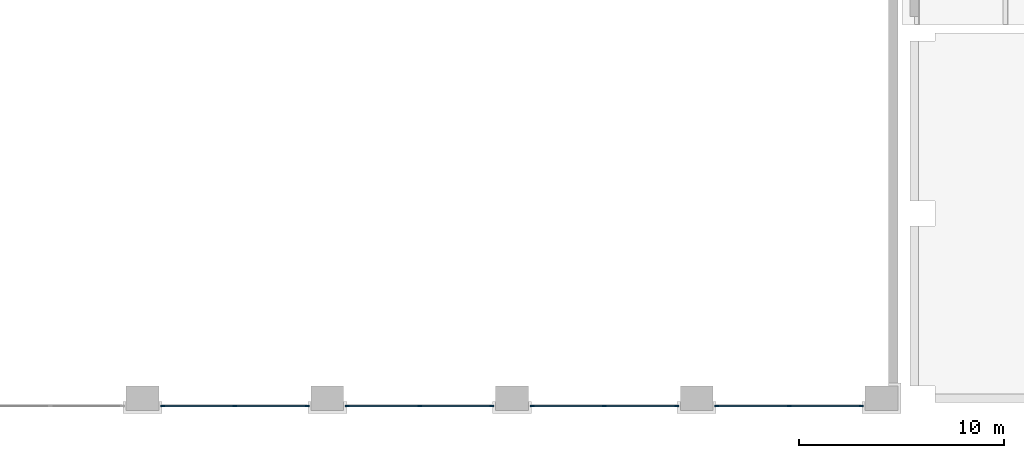
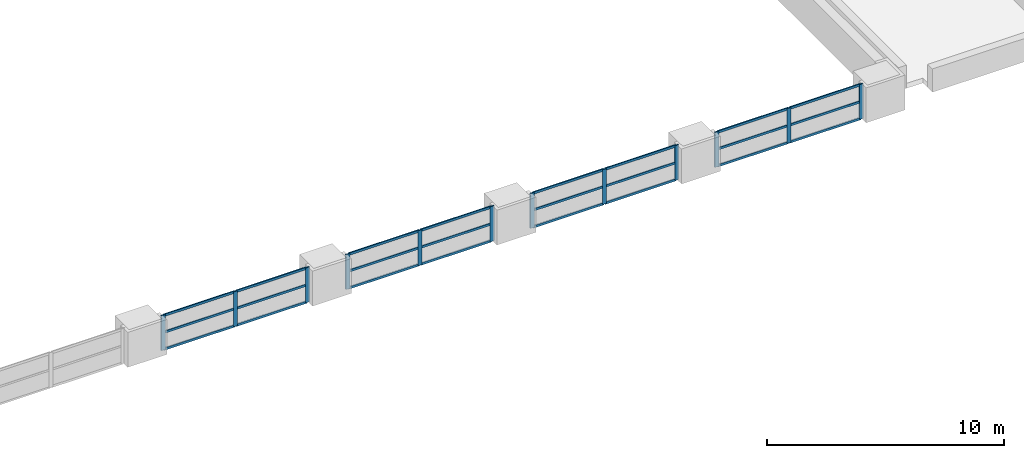
# One storey, part 8 of 32: 36 members, 4 elements without a shape of their own.
"""IFC4 building model written with IfcOpenShell, lengths in metres."""

import ifcopenshell
import ifcopenshell.guid

model = None  # the IFC model being written
_history = None  # IfcOwnerHistory: only IFC2X3 demands one
_inside = {}  # id of a spatial element -> (the spatial element, [elements in it])
_under = {}  # id of a project, library or spatial element -> (it, [spatial elements below it])
_declared = {}  # id of a project -> (the project, [libraries it declares])
_typed = {}  # id of a type object -> (the type object, [elements of that type])
_made_of = {}  # id of a material, layer set ... -> (it, [elements and type objects made of it])


def new_model(schema):
    """Start an empty IFC model of exactly this schema.

    Asked for "IFC4X3", IfcOpenShell would pick the latest addendum, in which some entities
    have other attributes; the version numbers below select the first issue.
    IFC2X3 requires an IfcOwnerHistory on every rooted entity: one is made here for all.
    """
    global model, _history
    if schema == "IFC4X3":
        model = ifcopenshell.file(schema_version=(4, 3, 0, 0))
    else:
        model = ifcopenshell.file(schema=schema)
    _inside.clear()
    _under.clear()
    _declared.clear()
    _typed.clear()
    _made_of.clear()
    _history = None
    if model.schema == "IFC2X3":
        org = make("IfcOrganization", Name="unknown")
        user = make(
            "IfcPersonAndOrganization",
            ThePerson=make("IfcPerson", FamilyName="unknown"),
            TheOrganization=org,
        )
        app = make(
            "IfcApplication",
            ApplicationDeveloper=org,
            Version="unknown",
            ApplicationFullName="unknown",
            ApplicationIdentifier="unknown",
        )
        _history = make(
            "IfcOwnerHistory",
            OwningUser=user,
            OwningApplication=app,
            ChangeAction="ADDED",
            CreationDate=0,
        )
    return model


def make(cls, **values):
    """One entity of the class cls with the attributes given. An attribute that is None is left unset."""
    return model.create_entity(
        cls, **{name: value for name, value in values.items() if value is not None}
    )


def rooted(cls, **values):
    """An entity with a GlobalId (a new one), such as an element, a storey or a relation."""
    return make(cls, GlobalId=ifcopenshell.guid.new(), OwnerHistory=_history, **values)


def si_unit(unit_type, name, prefix=None):
    """IfcSIUnit, for example si_unit("LENGTHUNIT", "METRE", prefix="MILLI")."""
    return make("IfcSIUnit", UnitType=unit_type, Prefix=prefix, Name=name)


def assignment(units):
    """IfcUnitAssignment: the units of a project."""
    return None if units is None else make("IfcUnitAssignment", Units=units)


def point(xyz):
    """IfcCartesianPoint."""
    return None if xyz is None else make("IfcCartesianPoint", Coordinates=xyz)


def direction(xyz):
    """IfcDirection."""
    return None if xyz is None else make("IfcDirection", DirectionRatios=xyz)


def frame(location, z_axis=None, x_axis=None):
    """IfcAxis2Placement3D, a coordinate frame: its origin and axes. An axis left out is left unset."""
    return make(
        "IfcAxis2Placement3D",
        Location=point(location),
        Axis=direction(z_axis),
        RefDirection=direction(x_axis),
    )


def frame_2d(location, x_axis=None):
    """IfcAxis2Placement2D, a coordinate frame in the plane: its origin and x axis."""
    return make(
        "IfcAxis2Placement2D", Location=point(location), RefDirection=direction(x_axis)
    )


def origin():
    """The frame at (0, 0, 0) with its axes left unset."""
    return frame((0.0, 0.0, 0.0))


def origin_2d():
    """The frame at (0, 0) in the plane with its x axis left unset."""
    return frame_2d((0.0, 0.0))


def place(relative_to, where):
    """IfcLocalPlacement: puts the frame where relative to a parent placement (None: the world)."""
    return make(
        "IfcLocalPlacement", PlacementRelTo=relative_to, RelativePlacement=where
    )


def context(
    kind, dimensions, precision=None, world=None, true_north=None, identifier=None
):
    """IfcGeometricRepresentationContext, for example the 3D "Model" context."""
    return make(
        "IfcGeometricRepresentationContext",
        ContextIdentifier=identifier,
        ContextType=kind,
        CoordinateSpaceDimension=dimensions,
        Precision=precision,
        WorldCoordinateSystem=world,
        TrueNorth=true_north,
    )


def subcontext(parent, identifier, kind, view, scale=None):
    """IfcGeometricRepresentationSubContext, for example "Body" below "Model"."""
    return make(
        "IfcGeometricRepresentationSubContext",
        ContextIdentifier=identifier,
        ContextType=kind,
        ParentContext=parent,
        TargetScale=scale,
        TargetView=view,
    )


def project(units=None, contexts=None):
    """IfcProject with its units and contexts."""
    return rooted(
        "IfcProject",
        Name="project",
        RepresentationContexts=contexts,
        UnitsInContext=assignment(units),
    )


def spatial(cls, under=None, at=None, **own):
    """A site, building, storey or space (cls), placed at a placement, below another one or the project."""
    s = rooted(cls, ObjectPlacement=at, **own)
    if under is not None:
        _under.setdefault(under.id(), (under, []))[1].append(s)
    return s


def profile(cls, at=None, kind="AREA", **sizes):
    """A parametric profile (cls). Its sizes go by their IFC names, for example OverallWidth=200.0."""
    return make(cls, ProfileType=kind, Position=at, **sizes)


def rectangle(**sizes):
    """IfcRectangleProfileDef."""
    return profile("IfcRectangleProfileDef", **sizes)


def extrude(swept, where, along, depth):
    """IfcExtrudedAreaSolid: the profile swept, set in the frame where, extruded along a direction by depth."""
    return make(
        "IfcExtrudedAreaSolid",
        SweptArea=swept,
        Position=where,
        ExtrudedDirection=direction(along),
        Depth=depth,
    )


def shape(context_of_items, identifier, shape_type, items):
    """IfcShapeRepresentation: the items that make up one representation, for example the "Body"."""
    return make(
        "IfcShapeRepresentation",
        ContextOfItems=context_of_items,
        RepresentationIdentifier=identifier,
        RepresentationType=shape_type,
        Items=items,
    )


def material(Name=None, Category=None):
    """IfcMaterial."""
    return make("IfcMaterial", Name=Name, Category=Category)


def material_profile(
    of_material, cross_section, Name=None, Category=None, Priority=None
):
    """IfcMaterialProfile: a cross section and its material."""
    return make(
        "IfcMaterialProfile",
        Name=Name,
        Material=of_material,
        Profile=cross_section,
        Priority=Priority,
        Category=Category,
    )


def profile_set(profiles, Name=None, composite=None):
    """IfcMaterialProfileSet."""
    return make(
        "IfcMaterialProfileSet",
        Name=Name,
        MaterialProfiles=profiles,
        CompositeProfile=composite,
    )


def made_of(thing, what):
    """Note that an element or type object is made of a material, layer set ...; save() writes the relation."""
    if what is not None:
        _made_of.setdefault(what.id(), (what, []))[1].append(thing)
    return thing


def type_object(cls, material=None, **own):
    """A type object (cls), such as IfcWallType, which elements share."""
    return made_of(rooted(cls, **own), material)


def element(
    cls,
    number,
    at=None,
    inside=None,
    cuts=None,
    type_object=None,
    material=None,
    context=None,
    identifier="Body",
    shape_type=None,
    held_by="IfcProductDefinitionShape",
    body=None,
    shapes=None,
    **own,
):
    """One element of the class cls, such as IfcWall. Its Tag is "e" and its number.

    at: its placement. inside: the storey or other place that contains it. cuts: it is an
    opening in that element (IfcRelVoidsElement). A single representation is given by context,
    identifier, shape_type and body (its items); several are given by shapes. held_by: the class
    of the entity that holds the representations. save() writes the other relations.
    """
    e = rooted(cls, Tag="e%d" % number, ObjectPlacement=at, **own)
    if body is not None:
        shapes = [shape(context, identifier, shape_type, body)]
    if shapes is not None:
        e.Representation = make(held_by, Representations=shapes)
    if inside is not None:
        _inside.setdefault(inside.id(), (inside, []))[1].append(e)
    if cuts is not None:
        rooted(
            "IfcRelVoidsElement", RelatingBuildingElement=cuts, RelatedOpeningElement=e
        )
    if type_object is not None:
        _typed.setdefault(type_object.id(), (type_object, []))[1].append(e)
    return made_of(e, material)


def aggregate(whole, parts):
    """IfcRelAggregates: a whole, such as a stair, and the parts it consists of."""
    return rooted("IfcRelAggregates", RelatingObject=whole, RelatedObjects=parts)


def save(model, path):
    """Write the relations noted so far, then the file.

    IfcRelAggregates (storeys below a building ...), IfcRelContainedInSpatialStructure (elements
    in a storey), IfcRelDefinesByType, IfcRelAssociatesMaterial and IfcRelDeclares: one each for
    every whole, place, type object, material and project.
    """
    for whole, parts in _under.values():
        aggregate(whole, parts)
    for where, things in _inside.values():
        rooted(
            "IfcRelContainedInSpatialStructure",
            RelatedElements=things,
            RelatingStructure=where,
        )
    for kind, things in _typed.values():
        rooted("IfcRelDefinesByType", RelatedObjects=things, RelatingType=kind)
    for what, things in _made_of.values():
        rooted("IfcRelAssociatesMaterial", RelatedObjects=things, RelatingMaterial=what)
    for by, libraries in _declared.values():
        rooted("IfcRelDeclares", RelatingContext=by, RelatedDefinitions=libraries)
    model.write(path)


model = new_model("IFC4")

# Units and contexts
model_context = context("Model", 3, precision=1e-05, world=origin(), true_north=direction((0.0, 1.0)))
body_context = subcontext(model_context, "Body", "Model", "MODEL_VIEW")
ifc_project = project(units=[si_unit("LENGTHUNIT", "METRE"), si_unit("AREAUNIT", "SQUARE_METRE"), si_unit("VOLUMEUNIT", "CUBIC_METRE"), si_unit("PLANEANGLEUNIT", "RADIAN"), si_unit("MASSUNIT", "GRAM", prefix="KILO")], contexts=[model_context])

# Site, building, storey
site_placement = place(None, origin())
site = spatial("IfcSite", under=ifc_project, at=site_placement, CompositionType="ELEMENT")
building_placement = place(site_placement, origin())
building = spatial("IfcBuilding", under=site, at=building_placement, Name="Aravalli Gate Trade Fair Centre", CompositionType="ELEMENT")
storey_placement = place(building_placement, frame((0.0, 0.0, 23.39990234375)))
storey = spatial("IfcBuildingStorey", under=building, at=storey_placement, Name="ROOF LEVEL 1", CompositionType="ELEMENT", Elevation=23.39990234375)

# Curtain wall, members
ifc_material_1 = material(Name="Aluminium, glass and louvre", Category="aluminium")
curtain_wall_type = type_object("IfcCurtainWallType", Name="Hall crown curtain wall 3000 module", PredefinedType="NOTDEFINED", material=ifc_material_1)
curtain_wall_1_placement = place(storey_placement, origin())
curtain_wall_1 = element("IfcCurtainWall", 1, at=curtain_wall_1_placement, inside=storey, type_object=curtain_wall_type, Name="Hall south crown curtain wall bay 8 ROOF LEVEL 1", PredefinedType="NOTDEFINED")
ifc_material_2 = material(Name="Aluminium", Category="aluminium")
ifc_material_profile_1 = material_profile(ifc_material_2, rectangle(XDim=0.06005859375, YDim=0.199951171875, at=origin_2d()), Name="Hall curtain wall mullion 60 x 200")
ifc_profile_set_1 = profile_set([ifc_material_profile_1], Name="Aluminium")
member_type_1 = type_object("IfcMemberType", Name="Hall curtain wall mullion 60 x 200", PredefinedType="MULLION", material=ifc_profile_set_1)
member_1_placement = place(storey_placement, frame((69.97998046875, 45.625, 0.0), z_axis=(0.0, 0.0, 1.0), x_axis=(0.0, 1.0, 0.0)))
member_1 = element("IfcMember", 2, at=member_1_placement, type_object=member_type_1, Name="HCW1 mullion 1", PredefinedType="MULLION", context=body_context, shape_type="SweptSolid", body=[
    extrude(rectangle(XDim=0.06005859375, YDim=0.199951171875, at=origin_2d()), origin(), (0.0, 0.0, 1.0), 1.800048828125),
])
member_2_placement = place(storey_placement, frame((73.5, 45.625, 0.0), z_axis=(0.0, 0.0, 1.0), x_axis=(0.0, 1.0, 0.0)))
member_2 = element("IfcMember", 3, at=member_2_placement, type_object=member_type_1, Name="HCW1 mullion 2", PredefinedType="MULLION", context=body_context, shape_type="SweptSolid", body=[
    extrude(rectangle(XDim=0.06005859375, YDim=0.199951171875, at=origin_2d()), origin(), (0.0, 0.0, 1.0), 1.800048828125),
])
member_3_placement = place(storey_placement, frame((77.02001953125, 45.625, 0.0), z_axis=(0.0, 0.0, 1.0), x_axis=(0.0, 1.0, 0.0)))
member_3 = element("IfcMember", 4, at=member_3_placement, type_object=member_type_1, Name="HCW1 mullion 3", PredefinedType="MULLION", context=body_context, shape_type="SweptSolid", body=[
    extrude(rectangle(XDim=0.06005859375, YDim=0.199951171875, at=origin_2d()), origin(), (0.0, 0.0, 1.0), 1.800048828125),
])

curtain_wall_2_placement = place(storey_placement, origin())
curtain_wall_2 = element("IfcCurtainWall", 5, at=curtain_wall_2_placement, inside=storey, type_object=curtain_wall_type, Name="Hall south crown curtain wall bay 9 ROOF LEVEL 1", PredefinedType="NOTDEFINED")
member_4_placement = place(storey_placement, frame((78.97998046875, 45.625, 0.0), z_axis=(0.0, 0.0, 1.0), x_axis=(0.0, 1.0, 0.0)))
member_4 = element("IfcMember", 6, at=member_4_placement, type_object=member_type_1, Name="HCW1 mullion 1", PredefinedType="MULLION", context=body_context, shape_type="SweptSolid", body=[
    extrude(rectangle(XDim=0.06005859375, YDim=0.199951171875, at=origin_2d()), origin(), (0.0, 0.0, 1.0), 1.800048828125),
])
member_5_placement = place(storey_placement, frame((82.5, 45.625, 0.0), z_axis=(0.0, 0.0, 1.0), x_axis=(0.0, 1.0, 0.0)))
member_5 = element("IfcMember", 7, at=member_5_placement, type_object=member_type_1, Name="HCW1 mullion 2", PredefinedType="MULLION", context=body_context, shape_type="SweptSolid", body=[
    extrude(rectangle(XDim=0.06005859375, YDim=0.199951171875, at=origin_2d()), origin(), (0.0, 0.0, 1.0), 1.800048828125),
])
member_6_placement = place(storey_placement, frame((86.02001953125, 45.625, 0.0), z_axis=(0.0, 0.0, 1.0), x_axis=(0.0, 1.0, 0.0)))
member_6 = element("IfcMember", 8, at=member_6_placement, type_object=member_type_1, Name="HCW1 mullion 3", PredefinedType="MULLION", context=body_context, shape_type="SweptSolid", body=[
    extrude(rectangle(XDim=0.06005859375, YDim=0.199951171875, at=origin_2d()), origin(), (0.0, 0.0, 1.0), 1.800048828125),
])

curtain_wall_3_placement = place(storey_placement, origin())
curtain_wall_3 = element("IfcCurtainWall", 9, at=curtain_wall_3_placement, inside=storey, type_object=curtain_wall_type, Name="Hall south crown curtain wall bay 10 ROOF LEVEL 1", PredefinedType="NOTDEFINED")
member_7_placement = place(storey_placement, frame((87.97998046875, 45.625, 0.0), z_axis=(0.0, 0.0, 1.0), x_axis=(0.0, 1.0, 0.0)))
member_7 = element("IfcMember", 10, at=member_7_placement, type_object=member_type_1, Name="HCW1 mullion 1", PredefinedType="MULLION", context=body_context, shape_type="SweptSolid", body=[
    extrude(rectangle(XDim=0.06005859375, YDim=0.199951171875, at=origin_2d()), origin(), (0.0, 0.0, 1.0), 1.800048828125),
])
member_8_placement = place(storey_placement, frame((91.5, 45.625, 0.0), z_axis=(0.0, 0.0, 1.0), x_axis=(0.0, 1.0, 0.0)))
member_8 = element("IfcMember", 11, at=member_8_placement, type_object=member_type_1, Name="HCW1 mullion 2", PredefinedType="MULLION", context=body_context, shape_type="SweptSolid", body=[
    extrude(rectangle(XDim=0.06005859375, YDim=0.199951171875, at=origin_2d()), origin(), (0.0, 0.0, 1.0), 1.800048828125),
])
member_9_placement = place(storey_placement, frame((95.02001953125, 45.625, 0.0), z_axis=(0.0, 0.0, 1.0), x_axis=(0.0, 1.0, 0.0)))
member_9 = element("IfcMember", 12, at=member_9_placement, type_object=member_type_1, Name="HCW1 mullion 3", PredefinedType="MULLION", context=body_context, shape_type="SweptSolid", body=[
    extrude(rectangle(XDim=0.06005859375, YDim=0.199951171875, at=origin_2d()), origin(), (0.0, 0.0, 1.0), 1.800048828125),
])

curtain_wall_4_placement = place(storey_placement, origin())
curtain_wall_4 = element("IfcCurtainWall", 13, at=curtain_wall_4_placement, inside=storey, type_object=curtain_wall_type, Name="Hall south crown curtain wall bay 11 ROOF LEVEL 1", PredefinedType="NOTDEFINED")
member_10_placement = place(storey_placement, frame((96.97998046875, 45.625, 0.0), z_axis=(0.0, 0.0, 1.0), x_axis=(0.0, 1.0, 0.0)))
member_10 = element("IfcMember", 14, at=member_10_placement, type_object=member_type_1, Name="HCW1 mullion 1", PredefinedType="MULLION", context=body_context, shape_type="SweptSolid", body=[
    extrude(rectangle(XDim=0.06005859375, YDim=0.199951171875, at=origin_2d()), origin(), (0.0, 0.0, 1.0), 1.800048828125),
])
member_11_placement = place(storey_placement, frame((100.5, 45.625, 0.0), z_axis=(0.0, 0.0, 1.0), x_axis=(0.0, 1.0, 0.0)))
member_11 = element("IfcMember", 15, at=member_11_placement, type_object=member_type_1, Name="HCW1 mullion 2", PredefinedType="MULLION", context=body_context, shape_type="SweptSolid", body=[
    extrude(rectangle(XDim=0.06005859375, YDim=0.199951171875, at=origin_2d()), origin(), (0.0, 0.0, 1.0), 1.800048828125),
])
member_12_placement = place(storey_placement, frame((104.02001953125, 45.625, 0.0), z_axis=(0.0, 0.0, 1.0), x_axis=(0.0, 1.0, 0.0)))
member_12 = element("IfcMember", 16, at=member_12_placement, type_object=member_type_1, Name="HCW1 mullion 3", PredefinedType="MULLION", context=body_context, shape_type="SweptSolid", body=[
    extrude(rectangle(XDim=0.06005859375, YDim=0.199951171875, at=origin_2d()), origin(), (0.0, 0.0, 1.0), 1.800048828125),
])

# Member
ifc_material_profile_2 = material_profile(ifc_material_2, rectangle(XDim=0.06005859375, YDim=0.1201171875, at=origin_2d()), Name="Hall curtain wall transom 60 x 120")
ifc_profile_set_2 = profile_set([ifc_material_profile_2], Name="Aluminium")
member_type_2 = type_object("IfcMemberType", Name="Hall curtain wall transom 60 x 120", PredefinedType="USERDEFINED", material=ifc_profile_set_2)
member_13_placement = place(storey_placement, frame((70.010009765625, 45.625, 0.030029296875), z_axis=(1.0, 0.0, 0.0), x_axis=(0.0, 1.0, 0.0)))
member_13 = element("IfcMember", 17, at=member_13_placement, type_object=member_type_2, Name="HCW1 transom 1.1", ObjectType="TRANSOM", PredefinedType="USERDEFINED", context=body_context, shape_type="SweptSolid", body=[
    extrude(rectangle(XDim=0.06005859375, YDim=0.1201171875, at=origin_2d()), origin(), (0.0, 0.0, 1.0), 3.4599609375),
])

member_14_placement = place(storey_placement, frame((70.010009765625, 45.625, 0.900146484375), z_axis=(1.0, 0.0, 0.0), x_axis=(0.0, 1.0, 0.0)))
member_14 = element("IfcMember", 18, at=member_14_placement, type_object=member_type_2, Name="HCW1 transom 1.2", ObjectType="TRANSOM", PredefinedType="USERDEFINED", context=body_context, shape_type="SweptSolid", body=[
    extrude(rectangle(XDim=0.06005859375, YDim=0.1201171875, at=origin_2d()), origin(), (0.0, 0.0, 1.0), 3.4599609375),
])

member_15_placement = place(storey_placement, frame((70.010009765625, 45.625, 1.77001953125), z_axis=(1.0, 0.0, 0.0), x_axis=(0.0, 1.0, 0.0)))
member_15 = element("IfcMember", 19, at=member_15_placement, type_object=member_type_2, Name="HCW1 transom 1.3", ObjectType="TRANSOM", PredefinedType="USERDEFINED", context=body_context, shape_type="SweptSolid", body=[
    extrude(rectangle(XDim=0.06005859375, YDim=0.1201171875, at=origin_2d()), origin(), (0.0, 0.0, 1.0), 3.4599609375),
])

member_16_placement = place(storey_placement, frame((73.530029296875, 45.625, 0.030029296875), z_axis=(1.0, 0.0, 0.0), x_axis=(0.0, 1.0, 0.0)))
member_16 = element("IfcMember", 20, at=member_16_placement, type_object=member_type_2, Name="HCW1 transom 2.1", ObjectType="TRANSOM", PredefinedType="USERDEFINED", context=body_context, shape_type="SweptSolid", body=[
    extrude(rectangle(XDim=0.06005859375, YDim=0.1201171875, at=origin_2d()), origin(), (0.0, 0.0, 1.0), 3.4599609375),
])

member_17_placement = place(storey_placement, frame((73.530029296875, 45.625, 0.900146484375), z_axis=(1.0, 0.0, 0.0), x_axis=(0.0, 1.0, 0.0)))
member_17 = element("IfcMember", 21, at=member_17_placement, type_object=member_type_2, Name="HCW1 transom 2.2", ObjectType="TRANSOM", PredefinedType="USERDEFINED", context=body_context, shape_type="SweptSolid", body=[
    extrude(rectangle(XDim=0.06005859375, YDim=0.1201171875, at=origin_2d()), origin(), (0.0, 0.0, 1.0), 3.4599609375),
])

member_18_placement = place(storey_placement, frame((73.530029296875, 45.625, 1.77001953125), z_axis=(1.0, 0.0, 0.0), x_axis=(0.0, 1.0, 0.0)))
member_18 = element("IfcMember", 22, at=member_18_placement, type_object=member_type_2, Name="HCW1 transom 2.3", ObjectType="TRANSOM", PredefinedType="USERDEFINED", context=body_context, shape_type="SweptSolid", body=[
    extrude(rectangle(XDim=0.06005859375, YDim=0.1201171875, at=origin_2d()), origin(), (0.0, 0.0, 1.0), 3.4599609375),
])

aggregate(curtain_wall_1, [member_1, member_2, member_3, member_13, member_14, member_15, member_16, member_17, member_18])

member_19_placement = place(storey_placement, frame((79.010009765625, 45.625, 0.030029296875), z_axis=(1.0, 0.0, 0.0), x_axis=(0.0, 1.0, 0.0)))
member_19 = element("IfcMember", 23, at=member_19_placement, type_object=member_type_2, Name="HCW1 transom 1.1", ObjectType="TRANSOM", PredefinedType="USERDEFINED", context=body_context, shape_type="SweptSolid", body=[
    extrude(rectangle(XDim=0.06005859375, YDim=0.1201171875, at=origin_2d()), origin(), (0.0, 0.0, 1.0), 3.4599609375),
])

member_20_placement = place(storey_placement, frame((79.010009765625, 45.625, 0.900146484375), z_axis=(1.0, 0.0, 0.0), x_axis=(0.0, 1.0, 0.0)))
member_20 = element("IfcMember", 24, at=member_20_placement, type_object=member_type_2, Name="HCW1 transom 1.2", ObjectType="TRANSOM", PredefinedType="USERDEFINED", context=body_context, shape_type="SweptSolid", body=[
    extrude(rectangle(XDim=0.06005859375, YDim=0.1201171875, at=origin_2d()), origin(), (0.0, 0.0, 1.0), 3.4599609375),
])

member_21_placement = place(storey_placement, frame((79.010009765625, 45.625, 1.77001953125), z_axis=(1.0, 0.0, 0.0), x_axis=(0.0, 1.0, 0.0)))
member_21 = element("IfcMember", 25, at=member_21_placement, type_object=member_type_2, Name="HCW1 transom 1.3", ObjectType="TRANSOM", PredefinedType="USERDEFINED", context=body_context, shape_type="SweptSolid", body=[
    extrude(rectangle(XDim=0.06005859375, YDim=0.1201171875, at=origin_2d()), origin(), (0.0, 0.0, 1.0), 3.4599609375),
])

member_22_placement = place(storey_placement, frame((82.530029296875, 45.625, 0.030029296875), z_axis=(1.0, 0.0, 0.0), x_axis=(0.0, 1.0, 0.0)))
member_22 = element("IfcMember", 26, at=member_22_placement, type_object=member_type_2, Name="HCW1 transom 2.1", ObjectType="TRANSOM", PredefinedType="USERDEFINED", context=body_context, shape_type="SweptSolid", body=[
    extrude(rectangle(XDim=0.06005859375, YDim=0.1201171875, at=origin_2d()), origin(), (0.0, 0.0, 1.0), 3.4599609375),
])

member_23_placement = place(storey_placement, frame((82.530029296875, 45.625, 0.900146484375), z_axis=(1.0, 0.0, 0.0), x_axis=(0.0, 1.0, 0.0)))
member_23 = element("IfcMember", 27, at=member_23_placement, type_object=member_type_2, Name="HCW1 transom 2.2", ObjectType="TRANSOM", PredefinedType="USERDEFINED", context=body_context, shape_type="SweptSolid", body=[
    extrude(rectangle(XDim=0.06005859375, YDim=0.1201171875, at=origin_2d()), origin(), (0.0, 0.0, 1.0), 3.4599609375),
])

member_24_placement = place(storey_placement, frame((82.530029296875, 45.625, 1.77001953125), z_axis=(1.0, 0.0, 0.0), x_axis=(0.0, 1.0, 0.0)))
member_24 = element("IfcMember", 28, at=member_24_placement, type_object=member_type_2, Name="HCW1 transom 2.3", ObjectType="TRANSOM", PredefinedType="USERDEFINED", context=body_context, shape_type="SweptSolid", body=[
    extrude(rectangle(XDim=0.06005859375, YDim=0.1201171875, at=origin_2d()), origin(), (0.0, 0.0, 1.0), 3.4599609375),
])

aggregate(curtain_wall_2, [member_4, member_5, member_6, member_19, member_20, member_21, member_22, member_23, member_24])

member_25_placement = place(storey_placement, frame((88.010009765625, 45.625, 0.030029296875), z_axis=(1.0, 0.0, 0.0), x_axis=(0.0, 1.0, 0.0)))
member_25 = element("IfcMember", 29, at=member_25_placement, type_object=member_type_2, Name="HCW1 transom 1.1", ObjectType="TRANSOM", PredefinedType="USERDEFINED", context=body_context, shape_type="SweptSolid", body=[
    extrude(rectangle(XDim=0.06005859375, YDim=0.1201171875, at=origin_2d()), origin(), (0.0, 0.0, 1.0), 3.4599609375),
])

member_26_placement = place(storey_placement, frame((88.010009765625, 45.625, 0.900146484375), z_axis=(1.0, 0.0, 0.0), x_axis=(0.0, 1.0, 0.0)))
member_26 = element("IfcMember", 30, at=member_26_placement, type_object=member_type_2, Name="HCW1 transom 1.2", ObjectType="TRANSOM", PredefinedType="USERDEFINED", context=body_context, shape_type="SweptSolid", body=[
    extrude(rectangle(XDim=0.06005859375, YDim=0.1201171875, at=origin_2d()), origin(), (0.0, 0.0, 1.0), 3.4599609375),
])

member_27_placement = place(storey_placement, frame((88.010009765625, 45.625, 1.77001953125), z_axis=(1.0, 0.0, 0.0), x_axis=(0.0, 1.0, 0.0)))
member_27 = element("IfcMember", 31, at=member_27_placement, type_object=member_type_2, Name="HCW1 transom 1.3", ObjectType="TRANSOM", PredefinedType="USERDEFINED", context=body_context, shape_type="SweptSolid", body=[
    extrude(rectangle(XDim=0.06005859375, YDim=0.1201171875, at=origin_2d()), origin(), (0.0, 0.0, 1.0), 3.4599609375),
])

member_28_placement = place(storey_placement, frame((91.530029296875, 45.625, 0.030029296875), z_axis=(1.0, 0.0, 0.0), x_axis=(0.0, 1.0, 0.0)))
member_28 = element("IfcMember", 32, at=member_28_placement, type_object=member_type_2, Name="HCW1 transom 2.1", ObjectType="TRANSOM", PredefinedType="USERDEFINED", context=body_context, shape_type="SweptSolid", body=[
    extrude(rectangle(XDim=0.06005859375, YDim=0.1201171875, at=origin_2d()), origin(), (0.0, 0.0, 1.0), 3.4599609375),
])

member_29_placement = place(storey_placement, frame((91.530029296875, 45.625, 0.900146484375), z_axis=(1.0, 0.0, 0.0), x_axis=(0.0, 1.0, 0.0)))
member_29 = element("IfcMember", 33, at=member_29_placement, type_object=member_type_2, Name="HCW1 transom 2.2", ObjectType="TRANSOM", PredefinedType="USERDEFINED", context=body_context, shape_type="SweptSolid", body=[
    extrude(rectangle(XDim=0.06005859375, YDim=0.1201171875, at=origin_2d()), origin(), (0.0, 0.0, 1.0), 3.4599609375),
])

member_30_placement = place(storey_placement, frame((91.530029296875, 45.625, 1.77001953125), z_axis=(1.0, 0.0, 0.0), x_axis=(0.0, 1.0, 0.0)))
member_30 = element("IfcMember", 34, at=member_30_placement, type_object=member_type_2, Name="HCW1 transom 2.3", ObjectType="TRANSOM", PredefinedType="USERDEFINED", context=body_context, shape_type="SweptSolid", body=[
    extrude(rectangle(XDim=0.06005859375, YDim=0.1201171875, at=origin_2d()), origin(), (0.0, 0.0, 1.0), 3.4599609375),
])

aggregate(curtain_wall_3, [member_7, member_8, member_9, member_25, member_26, member_27, member_28, member_29, member_30])

member_31_placement = place(storey_placement, frame((97.010009765625, 45.625, 0.030029296875), z_axis=(1.0, 0.0, 0.0), x_axis=(0.0, 1.0, 0.0)))
member_31 = element("IfcMember", 35, at=member_31_placement, type_object=member_type_2, Name="HCW1 transom 1.1", ObjectType="TRANSOM", PredefinedType="USERDEFINED", context=body_context, shape_type="SweptSolid", body=[
    extrude(rectangle(XDim=0.06005859375, YDim=0.1201171875, at=origin_2d()), origin(), (0.0, 0.0, 1.0), 3.4599609375),
])

member_32_placement = place(storey_placement, frame((97.010009765625, 45.625, 0.900146484375), z_axis=(1.0, 0.0, 0.0), x_axis=(0.0, 1.0, 0.0)))
member_32 = element("IfcMember", 36, at=member_32_placement, type_object=member_type_2, Name="HCW1 transom 1.2", ObjectType="TRANSOM", PredefinedType="USERDEFINED", context=body_context, shape_type="SweptSolid", body=[
    extrude(rectangle(XDim=0.06005859375, YDim=0.1201171875, at=origin_2d()), origin(), (0.0, 0.0, 1.0), 3.4599609375),
])

member_33_placement = place(storey_placement, frame((97.010009765625, 45.625, 1.77001953125), z_axis=(1.0, 0.0, 0.0), x_axis=(0.0, 1.0, 0.0)))
member_33 = element("IfcMember", 37, at=member_33_placement, type_object=member_type_2, Name="HCW1 transom 1.3", ObjectType="TRANSOM", PredefinedType="USERDEFINED", context=body_context, shape_type="SweptSolid", body=[
    extrude(rectangle(XDim=0.06005859375, YDim=0.1201171875, at=origin_2d()), origin(), (0.0, 0.0, 1.0), 3.4599609375),
])

member_34_placement = place(storey_placement, frame((100.530029296875, 45.625, 0.030029296875), z_axis=(1.0, 0.0, 0.0), x_axis=(0.0, 1.0, 0.0)))
member_34 = element("IfcMember", 38, at=member_34_placement, type_object=member_type_2, Name="HCW1 transom 2.1", ObjectType="TRANSOM", PredefinedType="USERDEFINED", context=body_context, shape_type="SweptSolid", body=[
    extrude(rectangle(XDim=0.06005859375, YDim=0.1201171875, at=origin_2d()), origin(), (0.0, 0.0, 1.0), 3.4599609375),
])

member_35_placement = place(storey_placement, frame((100.530029296875, 45.625, 0.900146484375), z_axis=(1.0, 0.0, 0.0), x_axis=(0.0, 1.0, 0.0)))
member_35 = element("IfcMember", 39, at=member_35_placement, type_object=member_type_2, Name="HCW1 transom 2.2", ObjectType="TRANSOM", PredefinedType="USERDEFINED", context=body_context, shape_type="SweptSolid", body=[
    extrude(rectangle(XDim=0.06005859375, YDim=0.1201171875, at=origin_2d()), origin(), (0.0, 0.0, 1.0), 3.4599609375),
])

member_36_placement = place(storey_placement, frame((100.530029296875, 45.625, 1.77001953125), z_axis=(1.0, 0.0, 0.0), x_axis=(0.0, 1.0, 0.0)))
member_36 = element("IfcMember", 40, at=member_36_placement, type_object=member_type_2, Name="HCW1 transom 2.3", ObjectType="TRANSOM", PredefinedType="USERDEFINED", context=body_context, shape_type="SweptSolid", body=[
    extrude(rectangle(XDim=0.06005859375, YDim=0.1201171875, at=origin_2d()), origin(), (0.0, 0.0, 1.0), 3.4599609375),
])

aggregate(curtain_wall_4, [member_10, member_11, member_12, member_31, member_32, member_33, member_34, member_35, member_36])

save(model, "model.ifc")
